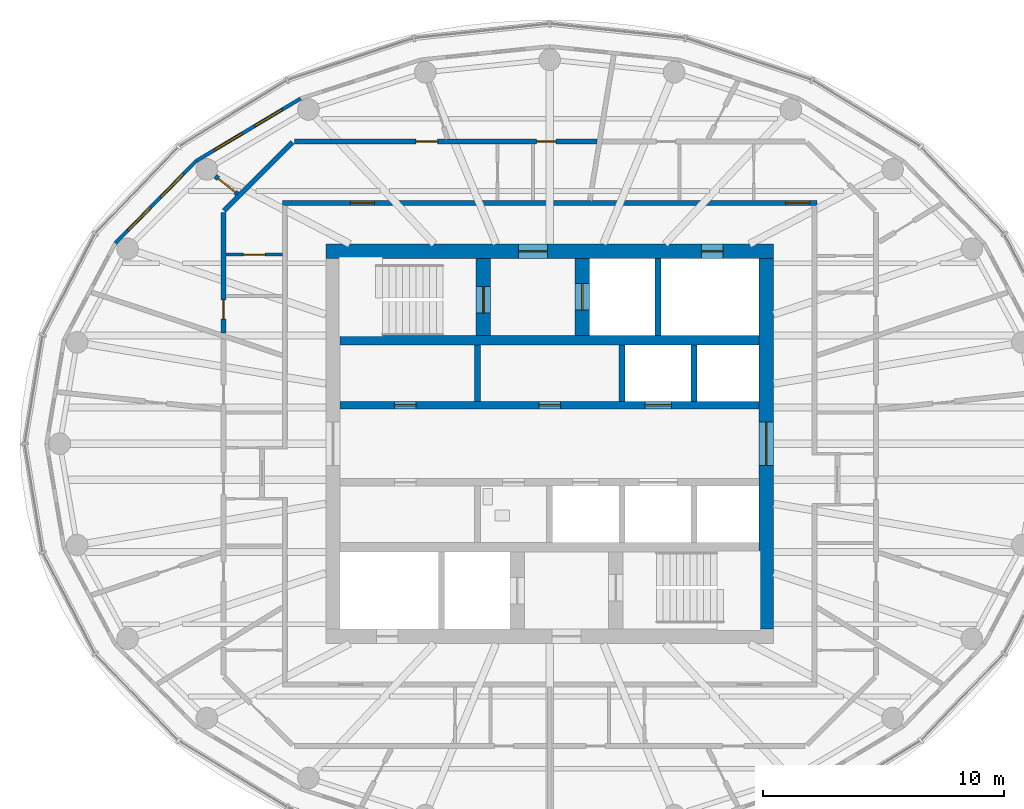
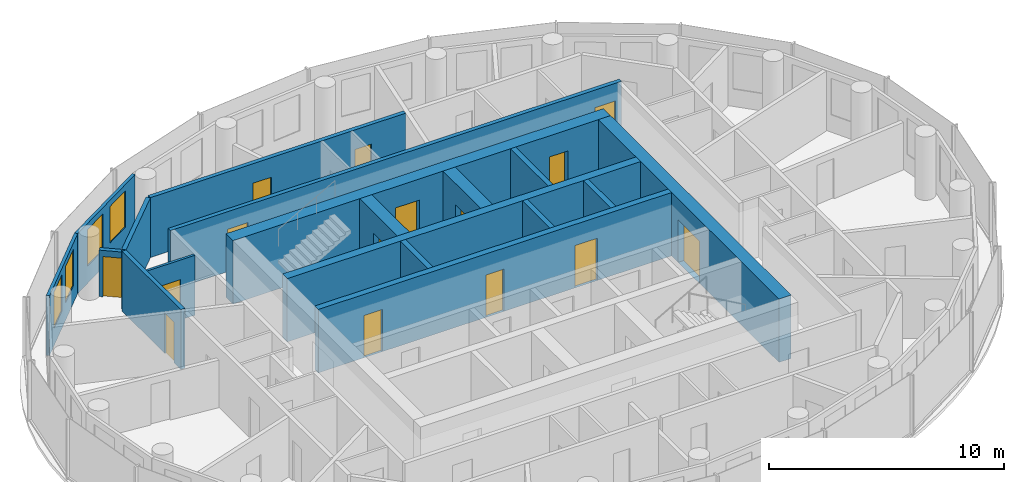
# One storey, part 7 of 12: 18 walls, 15 doors, 4 windows, 19 openings.
"""IFC4 building model written with IfcOpenShell, lengths in metres."""

from ifc_helpers import new_model, si_unit, direction, frame, frame_2d, origin, place, context, subcontext, project, spatial, rectangle, extrude, material, layer, layer_set, type_object, element, fill, save


model = new_model("IFC4")

# Units and contexts
model_context = context("Model", 3, precision=1e-05, world=origin(), true_north=direction((0.0, 1.0)))
body_context = subcontext(model_context, "Body", "Model", "MODEL_VIEW")
ifc_project = project(units=[si_unit("LENGTHUNIT", "METRE"), si_unit("AREAUNIT", "SQUARE_METRE"), si_unit("VOLUMEUNIT", "CUBIC_METRE"), si_unit("PLANEANGLEUNIT", "RADIAN"), si_unit("MASSUNIT", "GRAM", prefix="KILO")], contexts=[model_context])

# Site, building, storey
site_placement = place(None, origin())
site = spatial("IfcSite", under=ifc_project, at=site_placement, CompositionType="ELEMENT")
building_placement = place(site_placement, origin())
building = spatial("IfcBuilding", under=site, at=building_placement, Name="Hankou Lantern Tower", CompositionType="ELEMENT")
storey_placement = place(building_placement, frame((0.0, 0.0, 219.300048828125)))
storey = spatial("IfcBuildingStorey", under=building, at=storey_placement, Name="L59", CompositionType="ELEMENT", Elevation=219.300048828125)

# Wall, openings, doors
ifc_material_1 = material(Name="Concrete C60", Category="concrete")
ifc_layer_1 = layer(ifc_material_1, 0.60009765625)
ifc_layer_set_1 = layer_set([ifc_layer_1], Name="Concrete C60")
wall_type_1 = type_object("IfcWallType", Name="CW3 CORE WALL 600", PredefinedType="SHEAR", material=ifc_layer_set_1)
wall_1_placement = place(storey_placement, frame((-9.300048828125, 8.0, 0.0), z_axis=(0.0, 0.0, 1.0), x_axis=(1.0, 0.0, 0.0)))
wall_1 = element("IfcWall", 1, at=wall_1_placement, inside=storey, type_object=wall_type_1, Name="Core wall north L59", PredefinedType="SHEAR", context=body_context, shape_type="SweptSolid", body=[
    extrude(rectangle(XDim=18.60009765625, YDim=0.60009765625, at=frame_2d((9.300048828125, 0.0))), origin(), (0.0, 0.0, 1.0), 3.300048828125),
])
opening_1_placement = place(wall_1_placement, frame((8.0, 0.0, 0.0)))
opening_1 = element("IfcOpeningElement", 2, at=opening_1_placement, cuts=wall_1, Name="Opening D5", PredefinedType="OPENING", context=body_context, shape_type="SweptSolid", body=[
    extrude(rectangle(XDim=1.199951171875, YDim=2.199951171875, at=frame_2d((0.60009765625, 1.10009765625))), frame((0.0, 0.31005859375, 0.0), z_axis=(0.0, -1.0, 0.0), x_axis=(1.0, 0.0, 0.0)), (0.0, 0.0, 1.0), 0.6201171875),
])
opening_2_placement = place(wall_1_placement, frame((15.60009765625, 0.0, 0.0)))
opening_2 = element("IfcOpeningElement", 3, at=opening_2_placement, cuts=wall_1, Name="Opening D7", PredefinedType="OPENING", context=body_context, shape_type="SweptSolid", body=[
    extrude(rectangle(XDim=0.89990234375, YDim=2.199951171875, at=frame_2d((0.449951171875, 1.10009765625))), frame((0.0, 0.31005859375, 0.0), z_axis=(0.0, -1.0, 0.0), x_axis=(1.0, 0.0, 0.0)), (0.0, 0.0, 1.0), 0.6201171875),
])
ifc_material_2 = material(Name="Steel door leaf", Category="steel")
door_type_1 = type_object("IfcDoorType", Name="D5 STAIR LOBBY DOOR 1200X2200", OperationType="SINGLE_SWING_LEFT", PredefinedType="DOOR", material=ifc_material_2)
door_1_placement = place(opening_1_placement, origin())
door_1 = element("IfcDoor", 4, at=door_1_placement, inside=storey, type_object=door_type_1, Name="Stair A lobby door", OperationType="SINGLE_SWING_LEFT", OverallHeight=2.199951171875, OverallWidth=1.199951171875, PredefinedType="DOOR", context=body_context, shape_type="SweptSolid", body=[
    extrude(rectangle(XDim=1.199951171875, YDim=2.199951171875, at=frame_2d((0.60009765625, 1.10009765625))), frame((0.0, 0.02490234375, 0.0), z_axis=(0.0, -1.0, 0.0), x_axis=(1.0, 0.0, 0.0)), (0.0, 0.0, 1.0), 0.050048828125),
])
fill(opening_1, door_1)
ifc_material_3 = material(Name="Steel door leaf", Category="steel")
door_type_2 = type_object("IfcDoorType", Name="D7 RISER DOOR 900X2200", OperationType="SINGLE_SWING_LEFT", PredefinedType="DOOR", material=ifc_material_3)
door_2_placement = place(opening_2_placement, origin())
door_2 = element("IfcDoor", 5, at=door_2_placement, inside=storey, type_object=door_type_2, Name="Riser N1 door", OperationType="SINGLE_SWING_RIGHT", OverallHeight=2.199951171875, OverallWidth=0.89990234375, PredefinedType="DOOR", context=body_context, shape_type="SweptSolid", body=[
    extrude(rectangle(XDim=0.89990234375, YDim=2.199951171875, at=frame_2d((0.449951171875, 1.10009765625))), frame((0.0, 0.02490234375, 0.0), z_axis=(0.0, -1.0, 0.0), x_axis=(1.0, 0.0, 0.0)), (0.0, 0.0, 1.0), 0.050048828125),
])
fill(opening_2, door_2)

# Wall, opening, door
wall_2_placement = place(storey_placement, frame((9.0, -7.699951171875, 0.0), z_axis=(0.0, 0.0, 1.0), x_axis=(0.0, 1.0, 0.0)))
wall_2 = element("IfcWall", 6, at=wall_2_placement, inside=storey, type_object=wall_type_1, Name="Core wall east L59", PredefinedType="SHEAR", context=body_context, shape_type="SweptSolid", body=[
    extrude(rectangle(XDim=15.39990234375, YDim=0.60009765625, at=frame_2d((7.699951171875, 0.0))), origin(), (0.0, 0.0, 1.0), 3.300048828125),
])
opening_3_placement = place(wall_2_placement, frame((6.800048828125, 0.0, 0.0)))
opening_3 = element("IfcOpeningElement", 7, at=opening_3_placement, cuts=wall_2, Name="Opening D6", PredefinedType="OPENING", context=body_context, shape_type="SweptSolid", body=[
    extrude(rectangle(XDim=1.800048828125, YDim=2.199951171875, at=frame_2d((0.89990234375, 1.10009765625))), frame((0.0, 0.31005859375, 0.0), z_axis=(0.0, -1.0, 0.0), x_axis=(1.0, 0.0, 0.0)), (0.0, 0.0, 1.0), 0.6201171875),
])
ifc_material_4 = material(Name="Steel door leaf", Category="steel")
door_type_3 = type_object("IfcDoorType", Name="D6 LIFT LOBBY DOOR 1800X2200", OperationType="DOUBLE_DOOR_DOUBLE_SWING", PredefinedType="DOOR", material=ifc_material_4)
door_3_placement = place(opening_3_placement, origin())
door_3 = element("IfcDoor", 8, at=door_3_placement, inside=storey, type_object=door_type_3, Name="Lift lobby east door", OperationType="DOUBLE_DOOR_DOUBLE_SWING", OverallHeight=2.199951171875, OverallWidth=1.800048828125, PredefinedType="DOOR", context=body_context, shape_type="SweptSolid", body=[
    extrude(rectangle(XDim=1.800048828125, YDim=2.199951171875, at=frame_2d((0.89990234375, 1.10009765625))), frame((0.0, 0.02490234375, 0.0), z_axis=(0.0, -1.0, 0.0), x_axis=(1.0, 0.0, 0.0)), (0.0, 0.0, 1.0), 0.050048828125),
])
fill(opening_3, door_3)

# Wall
ifc_material_5 = material(Name="Concrete C60", Category="concrete")
ifc_layer_2 = layer(ifc_material_5, 0.39990234375)
ifc_layer_set_2 = layer_set([ifc_layer_2], Name="Concrete C60")
wall_type_2 = type_object("IfcWallType", Name="CW4 CORE CROSS WALL 400", PredefinedType="SHEAR", material=ifc_layer_set_2)
wall_3_placement = place(storey_placement, frame((-8.699951171875, 4.300048828125, 0.0), z_axis=(0.0, 0.0, 1.0), x_axis=(1.0, 0.0, 0.0)))
element("IfcWall", 9, at=wall_3_placement, inside=storey, type_object=wall_type_2, Name="Core band wall north L59", PredefinedType="SHEAR", context=body_context, shape_type="SweptSolid", body=[
    extrude(rectangle(XDim=17.39990234375, YDim=0.39990234375, at=frame_2d((8.699951171875, 0.0))), origin(), (0.0, 0.0, 1.0), 3.300048828125),
])

# Wall, openings, doors
ifc_material_6 = material(Name="Concrete C60", Category="concrete")
ifc_layer_3 = layer(ifc_material_6, 0.300048828125)
ifc_layer_set_3 = layer_set([ifc_layer_3], Name="Concrete C60")
wall_type_3 = type_object("IfcWallType", Name="CW5 LIFT LOBBY WALL 300", PredefinedType="SHEAR", material=ifc_layer_set_3)
wall_4_placement = place(storey_placement, frame((-8.699951171875, 1.60009765625, 0.0), z_axis=(0.0, 0.0, 1.0), x_axis=(1.0, 0.0, 0.0)))
wall_4 = element("IfcWall", 10, at=wall_4_placement, inside=storey, type_object=wall_type_3, Name="Lift lobby wall north L59", PredefinedType="SHEAR", context=body_context, shape_type="SweptSolid", body=[
    extrude(rectangle(XDim=17.39990234375, YDim=0.300048828125, at=frame_2d((8.699951171875, 0.0))), origin(), (0.0, 0.0, 1.0), 3.300048828125),
])
opening_4_placement = place(wall_4_placement, frame((12.64990234375, 0.0, 0.0)))
opening_4 = element("IfcOpeningElement", 11, at=opening_4_placement, cuts=wall_4, Name="Opening LD1", PredefinedType="OPENING", context=body_context, shape_type="SweptSolid", body=[
    extrude(rectangle(XDim=1.10009765625, YDim=2.199951171875, at=frame_2d((0.550048828125, 1.10009765625))), frame((0.0, 0.159912109375, 0.0), z_axis=(0.0, -1.0, 0.0), x_axis=(1.0, 0.0, 0.0)), (0.0, 0.0, 1.0), 0.320068359375),
])
opening_5_placement = place(wall_4_placement, frame((2.25, 0.0, 0.0)))
opening_5 = element("IfcOpeningElement", 12, at=opening_5_placement, cuts=wall_4, Name="Opening D30", PredefinedType="OPENING", context=body_context, shape_type="SweptSolid", body=[
    extrude(rectangle(XDim=0.89990234375, YDim=2.199951171875, at=frame_2d((0.449951171875, 1.10009765625))), frame((0.0, 0.159912109375, 0.0), z_axis=(0.0, -1.0, 0.0), x_axis=(1.0, 0.0, 0.0)), (0.0, 0.0, 1.0), 0.320068359375),
])
opening_6_placement = place(wall_4_placement, frame((8.25, 0.0, 0.0)))
opening_6 = element("IfcOpeningElement", 13, at=opening_6_placement, cuts=wall_4, Name="Opening D30", PredefinedType="OPENING", context=body_context, shape_type="SweptSolid", body=[
    extrude(rectangle(XDim=0.89990234375, YDim=2.199951171875, at=frame_2d((0.449951171875, 1.10009765625))), frame((0.0, 0.159912109375, 0.0), z_axis=(0.0, -1.0, 0.0), x_axis=(1.0, 0.0, 0.0)), (0.0, 0.0, 1.0), 0.320068359375),
])
ifc_material_7 = material(Name="Steel door leaf", Category="steel")
door_type_4 = type_object("IfcDoorType", Name="D30 CORE ROOM DOOR 900X2200", OperationType="SINGLE_SWING_LEFT", PredefinedType="DOOR", material=ifc_material_7)
door_4_placement = place(opening_5_placement, origin())
door_4 = element("IfcDoor", 14, at=door_4_placement, inside=storey, type_object=door_type_4, Name="Guest pantry and ice room door", OperationType="SINGLE_SWING_LEFT", OverallHeight=2.199951171875, OverallWidth=0.89990234375, PredefinedType="DOOR", context=body_context, shape_type="SweptSolid", body=[
    extrude(rectangle(XDim=0.89990234375, YDim=2.199951171875, at=frame_2d((0.449951171875, 1.10009765625))), frame((0.0, 0.02490234375, 0.0), z_axis=(0.0, -1.0, 0.0), x_axis=(1.0, 0.0, 0.0)), (0.0, 0.0, 1.0), 0.050048828125),
])
fill(opening_5, door_4)
door_5_placement = place(opening_6_placement, origin())
door_5 = element("IfcDoor", 15, at=door_5_placement, inside=storey, type_object=door_type_4, Name="Vending room door", OperationType="SINGLE_SWING_LEFT", OverallHeight=2.199951171875, OverallWidth=0.89990234375, PredefinedType="DOOR", context=body_context, shape_type="SweptSolid", body=[
    extrude(rectangle(XDim=0.89990234375, YDim=2.199951171875, at=frame_2d((0.449951171875, 1.10009765625))), frame((0.0, 0.02490234375, 0.0), z_axis=(0.0, -1.0, 0.0), x_axis=(1.0, 0.0, 0.0)), (0.0, 0.0, 1.0), 0.050048828125),
])
fill(opening_6, door_5)
ifc_material_8 = material(Name="Steel door leaf", Category="steel")
door_type_5 = type_object("IfcDoorType", Name="LD1 LIFT LANDING DOOR 1100X2200", OperationType="DOUBLE_DOOR_SLIDING", PredefinedType="DOOR", material=ifc_material_8)
door_6_placement = place(opening_4_placement, origin())
door_6 = element("IfcDoor", 16, at=door_6_placement, inside=storey, type_object=door_type_5, Name="Lift T1 landing door", OperationType="DOUBLE_DOOR_SLIDING", OverallHeight=2.199951171875, OverallWidth=1.10009765625, PredefinedType="DOOR", context=body_context, shape_type="SweptSolid", body=[
    extrude(rectangle(XDim=1.10009765625, YDim=2.199951171875, at=frame_2d((0.550048828125, 1.10009765625))), frame((0.0, 0.02490234375, 0.0), z_axis=(0.0, -1.0, 0.0), x_axis=(1.0, 0.0, 0.0)), (0.0, 0.0, 1.0), 0.050048828125),
])
fill(opening_4, door_6)

# Wall, opening, door
ifc_material_9 = material(Name="Concrete C60", Category="concrete")
ifc_layer_4 = layer(ifc_material_9, 0.60009765625)
ifc_layer_set_4 = layer_set([ifc_layer_4], Name="Concrete C60")
wall_type_4 = type_object("IfcWallType", Name="CW6 STAIR AND SHAFT WALL 600", PredefinedType="SHEAR", material=ifc_layer_set_4)
wall_5_placement = place(storey_placement, frame((-2.75, 4.5, 0.0), z_axis=(0.0, 0.0, 1.0), x_axis=(0.0, 1.0, 0.0)))
wall_5 = element("IfcWall", 17, at=wall_5_placement, inside=storey, type_object=wall_type_4, Name="Stair wall L59", PredefinedType="SHEAR", context=body_context, shape_type="SweptSolid", body=[
    extrude(rectangle(XDim=3.199951171875, YDim=0.60009765625, at=frame_2d((1.60009765625, 0.0))), origin(), (0.0, 0.0, 1.0), 3.300048828125),
])
opening_7_placement = place(wall_5_placement, frame((0.925048828125, 0.0, 0.0)))
opening_7 = element("IfcOpeningElement", 18, at=opening_7_placement, cuts=wall_5, Name="Opening D4", PredefinedType="OPENING", context=body_context, shape_type="SweptSolid", body=[
    extrude(rectangle(XDim=1.10009765625, YDim=2.199951171875, at=frame_2d((0.550048828125, 1.10009765625))), frame((0.0, 0.31005859375, 0.0), z_axis=(0.0, -1.0, 0.0), x_axis=(1.0, 0.0, 0.0)), (0.0, 0.0, 1.0), 0.6201171875),
])
ifc_material_10 = material(Name="Steel door leaf", Category="steel")
door_type_6 = type_object("IfcDoorType", Name="D4 STAIR DOOR 1100X2200", OperationType="SINGLE_SWING_LEFT", PredefinedType="DOOR", material=ifc_material_10)
door_7_placement = place(opening_7_placement, origin())
door_7 = element("IfcDoor", 19, at=door_7_placement, inside=storey, type_object=door_type_6, Name="Stair A door", OperationType="SINGLE_SWING_LEFT", OverallHeight=2.199951171875, OverallWidth=1.10009765625, PredefinedType="DOOR", context=body_context, shape_type="SweptSolid", body=[
    extrude(rectangle(XDim=1.10009765625, YDim=2.199951171875, at=frame_2d((0.550048828125, 1.10009765625))), frame((0.0, 0.02490234375, 0.0), z_axis=(0.0, -1.0, 0.0), x_axis=(1.0, 0.0, 0.0)), (0.0, 0.0, 1.0), 0.050048828125),
])
fill(opening_7, door_7)

wall_6_placement = place(storey_placement, frame((1.35009765625, 4.5, 0.0), z_axis=(0.0, 0.0, 1.0), x_axis=(0.0, 1.0, 0.0)))
wall_6 = element("IfcWall", 20, at=wall_6_placement, inside=storey, type_object=wall_type_4, Name="Firefighting lift shaft wall L59", PredefinedType="SHEAR", context=body_context, shape_type="SweptSolid", body=[
    extrude(rectangle(XDim=3.199951171875, YDim=0.60009765625, at=frame_2d((1.60009765625, 0.0))), origin(), (0.0, 0.0, 1.0), 3.300048828125),
])
opening_8_placement = place(wall_6_placement, frame((1.050048828125, 0.0, 0.0)))
opening_8 = element("IfcOpeningElement", 21, at=opening_8_placement, cuts=wall_6, Name="Opening LD2", PredefinedType="OPENING", context=body_context, shape_type="SweptSolid", body=[
    extrude(rectangle(XDim=1.10009765625, YDim=2.199951171875, at=frame_2d((0.550048828125, 1.10009765625))), frame((0.0, 0.31005859375, 0.0), z_axis=(0.0, -1.0, 0.0), x_axis=(1.0, 0.0, 0.0)), (0.0, 0.0, 1.0), 0.6201171875),
])
ifc_material_11 = material(Name="Steel door leaf", Category="steel")
door_type_7 = type_object("IfcDoorType", Name="LD2 FIREFIGHTING LIFT LANDING DOOR 1100X2200", OperationType="DOUBLE_DOOR_SLIDING", PredefinedType="DOOR", material=ifc_material_11)
door_8_placement = place(opening_8_placement, origin())
door_8 = element("IfcDoor", 22, at=door_8_placement, inside=storey, type_object=door_type_7, Name="Firefighting lift FL1 landing door", OperationType="DOUBLE_DOOR_SLIDING", OverallHeight=2.199951171875, OverallWidth=1.10009765625, PredefinedType="DOOR", context=body_context, shape_type="SweptSolid", body=[
    extrude(rectangle(XDim=1.10009765625, YDim=2.199951171875, at=frame_2d((0.550048828125, 1.10009765625))), frame((0.0, 0.02490234375, 0.0), z_axis=(0.0, -1.0, 0.0), x_axis=(1.0, 0.0, 0.0)), (0.0, 0.0, 1.0), 0.050048828125),
])
fill(opening_8, door_8)

# Wall, openings, windows
ifc_material_12 = material(Name="Aluminium spandrel panel on steel studs", Category="steel")
ifc_layer_5 = layer(ifc_material_12, 0.14990234375)
ifc_layer_set_5 = layer_set([ifc_layer_5], Name="Aluminium spandrel panel on steel studs")
wall_type_5 = type_object("IfcWallType", Name="EW1 INNER SKIN WALL 150", PredefinedType="ELEMENTEDWALL", material=ifc_layer_set_5)
wall_7_placement = place(storey_placement, frame((-10.346435546875, 14.33642578125, 0.0), z_axis=(0.0, 0.0, 1.0), x_axis=(-0.85822150553, -0.513279502265, 0.0)))
wall_7 = element("IfcWall", 23, at=wall_7_placement, inside=storey, type_object=wall_type_5, Name="Inner skin R09-R10 L59", PredefinedType="ELEMENTEDWALL", context=body_context, shape_type="SweptSolid", body=[
    extrude(rectangle(XDim=5.050048828125, YDim=0.14990234375, at=frame_2d((2.52490234375, 0.0))), origin(), (0.0, 0.0, 1.0), 3.119873046875),
])
opening_9_placement = place(wall_7_placement, frame((0.875, 0.0, 0.89990234375)))
opening_9 = element("IfcOpeningElement", 24, at=opening_9_placement, cuts=wall_7, Name="Opening W4", PredefinedType="OPENING", context=body_context, shape_type="SweptSolid", body=[
    extrude(rectangle(XDim=1.35009765625, YDim=1.89990234375, at=frame_2d((0.675048828125, 0.949951171875))), frame((0.0, 0.0849609375, 0.0), z_axis=(0.0, -1.0, 0.0), x_axis=(1.0, 0.0, 0.0)), (0.0, 0.0, 1.0), 0.169921875),
])
opening_10_placement = place(wall_7_placement, frame((2.824951171875, 0.0, 0.89990234375)))
opening_10 = element("IfcOpeningElement", 25, at=opening_10_placement, cuts=wall_7, Name="Opening W4", PredefinedType="OPENING", context=body_context, shape_type="SweptSolid", body=[
    extrude(rectangle(XDim=1.35009765625, YDim=1.89990234375, at=frame_2d((0.675048828125, 0.949951171875))), frame((0.0, 0.0849609375, 0.0), z_axis=(0.0, -1.0, 0.0), x_axis=(1.0, 0.0, 0.0)), (0.0, 0.0, 1.0), 0.169921875),
])
ifc_material_13 = material(Name="Aluminium framed double glazed window", Category="aluminium")
window_type = type_object("IfcWindowType", Name="W4 SUITE WINDOW 1350X1900", PartitioningType="DOUBLE_PANEL_VERTICAL", PredefinedType="WINDOW", material=ifc_material_13)
window_1_placement = place(opening_9_placement, origin())
window_1 = element("IfcWindow", 26, at=window_1_placement, inside=storey, type_object=window_type, Name="Window R09.1 L59", OverallHeight=1.89990234375, OverallWidth=1.35009765625, PartitioningType="SINGLE_PANEL", PredefinedType="WINDOW", context=body_context, shape_type="SweptSolid", body=[
    extrude(rectangle(XDim=1.35009765625, YDim=1.89990234375, at=frame_2d((0.675048828125, 0.949951171875))), frame((0.0, 0.030029296875, 0.0), z_axis=(0.0, -1.0, 0.0), x_axis=(1.0, 0.0, 0.0)), (0.0, 0.0, 1.0), 0.06005859375),
])
fill(opening_9, window_1)
window_2_placement = place(opening_10_placement, origin())
window_2 = element("IfcWindow", 27, at=window_2_placement, inside=storey, type_object=window_type, Name="Window R09.2 L59", OverallHeight=1.89990234375, OverallWidth=1.35009765625, PartitioningType="SINGLE_PANEL", PredefinedType="WINDOW", context=body_context, shape_type="SweptSolid", body=[
    extrude(rectangle(XDim=1.35009765625, YDim=1.89990234375, at=frame_2d((0.675048828125, 0.949951171875))), frame((0.0, 0.030029296875, 0.0), z_axis=(0.0, -1.0, 0.0), x_axis=(1.0, 0.0, 0.0)), (0.0, 0.0, 1.0), 0.06005859375),
])
fill(opening_10, window_2)

wall_8_placement = place(storey_placement, frame((-14.680419921875, 11.744384765625, 0.0), z_axis=(0.0, 0.0, 1.0), x_axis=(-0.701527379618, -0.712642501993, 0.0)))
wall_8 = element("IfcWall", 28, at=wall_8_placement, inside=storey, type_object=wall_type_5, Name="Inner skin R10-R11 L59", PredefinedType="ELEMENTEDWALL", context=body_context, shape_type="SweptSolid", body=[
    extrude(rectangle(XDim=4.788330078125, YDim=0.14990234375, at=frame_2d((2.39404296875, 0.0))), origin(), (0.0, 0.0, 1.0), 3.119873046875),
])
opening_11_placement = place(wall_8_placement, frame((0.744140625, 0.0, 0.89990234375)))
opening_11 = element("IfcOpeningElement", 29, at=opening_11_placement, cuts=wall_8, Name="Opening W4", PredefinedType="OPENING", context=body_context, shape_type="SweptSolid", body=[
    extrude(rectangle(XDim=1.35009765625, YDim=1.89990234375, at=frame_2d((0.675048828125, 0.949951171875))), frame((0.0, 0.0849609375, 0.0), z_axis=(0.0, -1.0, 0.0), x_axis=(1.0, 0.0, 0.0)), (0.0, 0.0, 1.0), 0.169921875),
])
opening_12_placement = place(wall_8_placement, frame((2.694091796875, 0.0, 0.89990234375)))
opening_12 = element("IfcOpeningElement", 30, at=opening_12_placement, cuts=wall_8, Name="Opening W4", PredefinedType="OPENING", context=body_context, shape_type="SweptSolid", body=[
    extrude(rectangle(XDim=1.35009765625, YDim=1.89990234375, at=frame_2d((0.675048828125, 0.949951171875))), frame((0.0, 0.0849609375, 0.0), z_axis=(0.0, -1.0, 0.0), x_axis=(1.0, 0.0, 0.0)), (0.0, 0.0, 1.0), 0.169921875),
])
window_3_placement = place(opening_11_placement, origin())
window_3 = element("IfcWindow", 31, at=window_3_placement, inside=storey, type_object=window_type, Name="Window R10.1 L59", OverallHeight=1.89990234375, OverallWidth=1.35009765625, PartitioningType="SINGLE_PANEL", PredefinedType="WINDOW", context=body_context, shape_type="SweptSolid", body=[
    extrude(rectangle(XDim=1.35009765625, YDim=1.89990234375, at=frame_2d((0.675048828125, 0.949951171875))), frame((0.0, 0.030029296875, 0.0), z_axis=(0.0, -1.0, 0.0), x_axis=(1.0, 0.0, 0.0)), (0.0, 0.0, 1.0), 0.06005859375),
])
fill(opening_11, window_3)
window_4_placement = place(opening_12_placement, origin())
window_4 = element("IfcWindow", 32, at=window_4_placement, inside=storey, type_object=window_type, Name="Window R10.2 L59", OverallHeight=1.89990234375, OverallWidth=1.35009765625, PartitioningType="SINGLE_PANEL", PredefinedType="WINDOW", context=body_context, shape_type="SweptSolid", body=[
    extrude(rectangle(XDim=1.35009765625, YDim=1.89990234375, at=frame_2d((0.675048828125, 0.949951171875))), frame((0.0, 0.030029296875, 0.0), z_axis=(0.0, -1.0, 0.0), x_axis=(1.0, 0.0, 0.0)), (0.0, 0.0, 1.0), 0.06005859375),
])
fill(opening_12, window_4)

# Wall, openings, doors
ifc_material_14 = material(Name="Masonry lightweight concrete block", Category="masonry")
ifc_layer_6 = layer(ifc_material_14, 0.199951171875)
ifc_layer_set_6 = layer_set([ifc_layer_6], Name="Masonry lightweight concrete block")
wall_type_6 = type_object("IfcWallType", Name="IW2 CORRIDOR WALL 200", PredefinedType="PARTITIONING", material=ifc_layer_set_6)
wall_9_placement = place(storey_placement, frame((-11.10009765625, 10.0, 0.0), z_axis=(0.0, 0.0, 1.0), x_axis=(1.0, 0.0, 0.0)))
wall_9 = element("IfcWall", 33, at=wall_9_placement, inside=storey, type_object=wall_type_6, Name="Corridor wall north", PredefinedType="PARTITIONING", context=body_context, shape_type="SweptSolid", body=[
    extrude(rectangle(XDim=22.2001953125, YDim=0.199951171875, at=frame_2d((11.10009765625, 0.0))), origin(), (0.0, 0.0, 1.0), 3.119873046875),
])
opening_13_placement = place(wall_9_placement, frame((20.89990234375, 0.0, 0.0)))
opening_13 = element("IfcOpeningElement", 34, at=opening_13_placement, cuts=wall_9, Name="Opening D2", PredefinedType="OPENING", context=body_context, shape_type="SweptSolid", body=[
    extrude(rectangle(XDim=1.0, YDim=2.199951171875, at=frame_2d((0.5, 1.10009765625))), frame((0.0, 0.10986328125, 0.0), z_axis=(0.0, -1.0, 0.0), x_axis=(1.0, 0.0, 0.0)), (0.0, 0.0, 1.0), 0.219970703125),
])
opening_14_placement = place(wall_9_placement, frame((2.819580078125, 0.0, 0.0)))
opening_14 = element("IfcOpeningElement", 35, at=opening_14_placement, cuts=wall_9, Name="Opening D2", PredefinedType="OPENING", context=body_context, shape_type="SweptSolid", body=[
    extrude(rectangle(XDim=1.0, YDim=2.199951171875, at=frame_2d((0.5, 1.10009765625))), frame((0.0, 0.10986328125, 0.0), z_axis=(0.0, -1.0, 0.0), x_axis=(1.0, 0.0, 0.0)), (0.0, 0.0, 1.0), 0.219970703125),
])
ifc_material_15 = material(Name="Steel door leaf", Category="steel")
door_type_8 = type_object("IfcDoorType", Name="D2 SUITE DOOR 1000X2200", OperationType="SINGLE_SWING_LEFT", PredefinedType="DOOR", material=ifc_material_15)
door_9_placement = place(opening_13_placement, origin())
door_9 = element("IfcDoor", 36, at=door_9_placement, inside=storey, type_object=door_type_8, Name="Suite door 5901", OperationType="SINGLE_SWING_LEFT", OverallHeight=2.199951171875, OverallWidth=1.0, PredefinedType="DOOR", context=body_context, shape_type="SweptSolid", body=[
    extrude(rectangle(XDim=1.0, YDim=2.199951171875, at=frame_2d((0.5, 1.10009765625))), frame((0.0, 0.02490234375, 0.0), z_axis=(0.0, -1.0, 0.0), x_axis=(1.0, 0.0, 0.0)), (0.0, 0.0, 1.0), 0.050048828125),
])
fill(opening_13, door_9)
door_10_placement = place(opening_14_placement, origin())
door_10 = element("IfcDoor", 37, at=door_10_placement, inside=storey, type_object=door_type_8, Name="Suite door 5902", OperationType="SINGLE_SWING_RIGHT", OverallHeight=2.199951171875, OverallWidth=1.0, PredefinedType="DOOR", context=body_context, shape_type="SweptSolid", body=[
    extrude(rectangle(XDim=1.0, YDim=2.199951171875, at=frame_2d((0.5, 1.10009765625))), frame((0.0, 0.02490234375, 0.0), z_axis=(0.0, -1.0, 0.0), x_axis=(1.0, 0.0, 0.0)), (0.0, 0.0, 1.0), 0.050048828125),
])
fill(opening_14, door_10)

# Wall, opening, door
ifc_material_16 = material(Name="Masonry lightweight concrete block", Category="masonry")
ifc_layer_7 = layer(ifc_material_16, 0.1201171875)
ifc_layer_set_7 = layer_set([ifc_layer_7], Name="Masonry lightweight concrete block")
wall_type_7 = type_object("IfcWallType", Name="IW3 BATHROOM WALL 120", PredefinedType="PARTITIONING", material=ifc_layer_set_7)
wall_10_placement = place(storey_placement, frame((-11.10009765625, 7.855224609375, 0.0), z_axis=(0.0, 0.0, 1.0), x_axis=(-1.0, 0.0, 0.0)))
wall_10 = element("IfcWall", 38, at=wall_10_placement, inside=storey, type_object=wall_type_7, Name="Box wall 5902 3", PredefinedType="PARTITIONING", context=body_context, shape_type="SweptSolid", body=[
    extrude(rectangle(XDim=2.349853515625, YDim=0.1201171875, at=frame_2d((1.1748046875, 0.0))), origin(), (0.0, 0.0, 1.0), 3.119873046875),
])
opening_15_placement = place(wall_10_placement, frame((0.719970703125, 0.0, 0.0)))
opening_15 = element("IfcOpeningElement", 39, at=opening_15_placement, cuts=wall_10, Name="Opening D27", PredefinedType="OPENING", context=body_context, shape_type="SweptSolid", body=[
    extrude(rectangle(XDim=0.89990234375, YDim=2.10009765625, at=frame_2d((0.449951171875, 1.050048828125))), frame((0.0, 0.070068359375, 0.0), z_axis=(0.0, -1.0, 0.0), x_axis=(1.0, 0.0, 0.0)), (0.0, 0.0, 1.0), 0.14013671875),
])
ifc_material_17 = material(Name="Timber door leaf", Category="wood")
door_type_9 = type_object("IfcDoorType", Name="D27 INTERNAL DOOR 900X2100", OperationType="SINGLE_SWING_LEFT", PredefinedType="DOOR", material=ifc_material_17)
door_11_placement = place(opening_15_placement, origin())
door_11 = element("IfcDoor", 40, at=door_11_placement, inside=storey, type_object=door_type_9, Name="Family suite 5902 walk-in wardrobe door", OperationType="SINGLE_SWING_LEFT", OverallHeight=2.10009765625, OverallWidth=0.89990234375, PredefinedType="DOOR", context=body_context, shape_type="SweptSolid", body=[
    extrude(rectangle(XDim=0.89990234375, YDim=2.10009765625, at=frame_2d((0.449951171875, 1.050048828125))), frame((0.0, 0.02490234375, 0.0), z_axis=(0.0, -1.0, 0.0), x_axis=(1.0, 0.0, 0.0)), (0.0, 0.0, 1.0), 0.050048828125),
])
fill(opening_15, door_11)

# Wall, openings, doors
ifc_material_18 = material(Name="Masonry lightweight concrete block", Category="masonry")
ifc_layer_8 = layer(ifc_material_18, 0.199951171875)
ifc_layer_set_8 = layer_set([ifc_layer_8], Name="Masonry lightweight concrete block")
wall_type_8 = type_object("IfcWallType", Name="IW6 SUITE PARTITION 200", PredefinedType="PARTITIONING", material=ifc_layer_set_8)
wall_11_placement = place(storey_placement, frame((1.967529296875, 12.550048828125, 0.0), z_axis=(0.0, 0.0, 1.0), x_axis=(-1.0, 0.0, 0.0)))
wall_11 = element("IfcWall", 41, at=wall_11_placement, inside=storey, type_object=wall_type_8, Name="Suite foyer wall 5902", PredefinedType="PARTITIONING", context=body_context, shape_type="SweptSolid", body=[
    extrude(rectangle(XDim=12.576171875, YDim=0.199951171875, at=frame_2d((6.2880859375, 0.0))), origin(), (0.0, 0.0, 1.0), 3.119873046875),
])
opening_16_placement = place(wall_11_placement, frame((1.707763671875, 0.0, 0.0)))
opening_16 = element("IfcOpeningElement", 42, at=opening_16_placement, cuts=wall_11, Name="Opening D3", PredefinedType="OPENING", context=body_context, shape_type="SweptSolid", body=[
    extrude(rectangle(XDim=0.800048828125, YDim=2.10009765625, at=frame_2d((0.39990234375, 1.050048828125))), frame((0.0, 0.10986328125, 0.0), z_axis=(0.0, -1.0, 0.0), x_axis=(1.0, 0.0, 0.0)), (0.0, 0.0, 1.0), 0.219970703125),
])
opening_17_placement = place(wall_11_placement, frame((6.6201171875, 0.0, 0.0)))
opening_17 = element("IfcOpeningElement", 43, at=opening_17_placement, cuts=wall_11, Name="Opening D27", PredefinedType="OPENING", context=body_context, shape_type="SweptSolid", body=[
    extrude(rectangle(XDim=0.89990234375, YDim=2.10009765625, at=frame_2d((0.449951171875, 1.050048828125))), frame((0.0, 0.10986328125, 0.0), z_axis=(0.0, -1.0, 0.0), x_axis=(1.0, 0.0, 0.0)), (0.0, 0.0, 1.0), 0.219970703125),
])
door_12_placement = place(opening_17_placement, origin())
door_12 = element("IfcDoor", 44, at=door_12_placement, inside=storey, type_object=door_type_9, Name="Family suite 5902 living room door", OperationType="SINGLE_SWING_LEFT", OverallHeight=2.10009765625, OverallWidth=0.89990234375, PredefinedType="DOOR", context=body_context, shape_type="SweptSolid", body=[
    extrude(rectangle(XDim=0.89990234375, YDim=2.10009765625, at=frame_2d((0.449951171875, 1.050048828125))), frame((0.0, 0.02490234375, 0.0), z_axis=(0.0, -1.0, 0.0), x_axis=(1.0, 0.0, 0.0)), (0.0, 0.0, 1.0), 0.050048828125),
])
fill(opening_17, door_12)
ifc_material_19 = material(Name="Timber door leaf", Category="wood")
door_type_10 = type_object("IfcDoorType", Name="D3 BATHROOM DOOR 800X2100", OperationType="SINGLE_SWING_LEFT", PredefinedType="DOOR", material=ifc_material_19)
door_13_placement = place(opening_16_placement, origin())
door_13 = element("IfcDoor", 45, at=door_13_placement, inside=storey, type_object=door_type_10, Name="Family suite 5902 bathroom door", OperationType="SINGLE_SWING_RIGHT", OverallHeight=2.10009765625, OverallWidth=0.800048828125, PredefinedType="DOOR", context=body_context, shape_type="SweptSolid", body=[
    extrude(rectangle(XDim=0.800048828125, YDim=2.10009765625, at=frame_2d((0.39990234375, 1.050048828125))), frame((0.0, 0.02490234375, 0.0), z_axis=(0.0, -1.0, 0.0), x_axis=(1.0, 0.0, 0.0)), (0.0, 0.0, 1.0), 0.050048828125),
])
fill(opening_16, door_13)

# Wall
wall_12_placement = place(storey_placement, frame((-10.67919921875, 12.520751953125, 0.0), z_axis=(0.0, 0.0, 1.0), x_axis=(-0.707106781187, -0.707106781187, 0.0)))
element("IfcWall", 46, at=wall_12_placement, inside=storey, type_object=wall_type_8, Name="Suite foyer wall 5902", PredefinedType="PARTITIONING", context=body_context, shape_type="SweptSolid", body=[
    extrude(rectangle(XDim=4.0185546875, YDim=0.199951171875, at=frame_2d((2.00927734375, 0.0))), origin(), (0.0, 0.0, 1.0), 3.119873046875),
])

# Wall, opening, door
wall_13_placement = place(storey_placement, frame((-13.550048828125, 9.608642578125, 0.0), z_axis=(0.0, 0.0, 1.0), x_axis=(0.0, -1.0, 0.0)))
wall_13 = element("IfcWall", 47, at=wall_13_placement, inside=storey, type_object=wall_type_8, Name="Suite foyer wall 5902", PredefinedType="PARTITIONING", context=body_context, shape_type="SweptSolid", body=[
    extrude(rectangle(XDim=5.0087890625, YDim=0.199951171875, at=frame_2d((2.50439453125, 0.0))), origin(), (0.0, 0.0, 1.0), 3.119873046875),
])
opening_18_placement = place(wall_13_placement, frame((3.63330078125, 0.0, 0.0)))
opening_18 = element("IfcOpeningElement", 48, at=opening_18_placement, cuts=wall_13, Name="Opening D3", PredefinedType="OPENING", context=body_context, shape_type="SweptSolid", body=[
    extrude(rectangle(XDim=0.800048828125, YDim=2.10009765625, at=frame_2d((0.39990234375, 1.050048828125))), frame((0.0, 0.10986328125, 0.0), z_axis=(0.0, -1.0, 0.0), x_axis=(1.0, 0.0, 0.0)), (0.0, 0.0, 1.0), 0.219970703125),
])
door_14_placement = place(opening_18_placement, origin())
door_14 = element("IfcDoor", 49, at=door_14_placement, inside=storey, type_object=door_type_10, Name="Family suite 5902 second bathroom door", OperationType="SINGLE_SWING_LEFT", OverallHeight=2.10009765625, OverallWidth=0.800048828125, PredefinedType="DOOR", context=body_context, shape_type="SweptSolid", body=[
    extrude(rectangle(XDim=0.800048828125, YDim=2.10009765625, at=frame_2d((0.39990234375, 1.050048828125))), frame((0.0, 0.02490234375, 0.0), z_axis=(0.0, -1.0, 0.0), x_axis=(1.0, 0.0, 0.0)), (0.0, 0.0, 1.0), 0.050048828125),
])
fill(opening_18, door_14)

wall_14_placement = place(storey_placement, frame((-12.967529296875, 10.3740234375, 0.0), z_axis=(0.0, 0.0, 1.0), x_axis=(-0.780888968944, 0.624669847345, 0.0)))
wall_14 = element("IfcWall", 50, at=wall_14_placement, inside=storey, type_object=wall_type_8, Name="Suite partition R10", PredefinedType="PARTITIONING", context=body_context, shape_type="SweptSolid", body=[
    extrude(rectangle(XDim=1.181396484375, YDim=0.199951171875, at=frame_2d((0.5908203125, 0.0))), origin(), (0.0, 0.0, 1.0), 2.419921875),
])
opening_19_placement = place(wall_14_placement, frame((0.1201171875, 0.0, 0.0)))
opening_19 = element("IfcOpeningElement", 51, at=opening_19_placement, cuts=wall_14, Name="Opening D27", PredefinedType="OPENING", context=body_context, shape_type="SweptSolid", body=[
    extrude(rectangle(XDim=0.89990234375, YDim=2.10009765625, at=frame_2d((0.449951171875, 1.050048828125))), frame((0.0, 0.10986328125, 0.0), z_axis=(0.0, -1.0, 0.0), x_axis=(1.0, 0.0, 0.0)), (0.0, 0.0, 1.0), 0.219970703125),
])
door_15_placement = place(opening_19_placement, origin())
door_15 = element("IfcDoor", 52, at=door_15_placement, inside=storey, type_object=door_type_9, Name="Family suite 5902 second bedroom door", OperationType="SINGLE_SWING_LEFT", OverallHeight=2.10009765625, OverallWidth=0.89990234375, PredefinedType="DOOR", context=body_context, shape_type="SweptSolid", body=[
    extrude(rectangle(XDim=0.89990234375, YDim=2.10009765625, at=frame_2d((0.449951171875, 1.050048828125))), frame((0.0, 0.02490234375, 0.0), z_axis=(0.0, -1.0, 0.0), x_axis=(1.0, 0.0, 0.0)), (0.0, 0.0, 1.0), 0.050048828125),
])
fill(opening_19, door_15)

# Walls
ifc_material_20 = material(Name="Masonry autoclaved aerated concrete block", Category="masonry")
ifc_layer_9 = layer(ifc_material_20, 0.25)
ifc_layer_set_9 = layer_set([ifc_layer_9], Name="Masonry autoclaved aerated concrete block")
wall_type_9 = type_object("IfcWallType", Name="SW1 SHAFT BLOCK WALL 250", PredefinedType="PARTITIONING", material=ifc_layer_set_9)
wall_15_placement = place(storey_placement, frame((4.5, 4.5, 0.0), z_axis=(0.0, 0.0, 1.0), x_axis=(0.0, 1.0, 0.0)))
element("IfcWall", 53, at=wall_15_placement, inside=storey, type_object=wall_type_9, Name="Riser wall L59", PredefinedType="PARTITIONING", context=body_context, shape_type="SweptSolid", body=[
    extrude(rectangle(XDim=3.199951171875, YDim=0.25, at=frame_2d((1.60009765625, 0.0))), origin(), (0.0, 0.0, 1.0), 3.300048828125),
])
for number, where, z_axis, x_axis, name in (
    (54, (-3.0, 1.75, 0.0), (0.0, 0.0, 1.0), (0.0, 1.0, 0.0), "Lift shaft wall L59"),
    (55, (3.0, 1.75, 0.0), (0.0, 0.0, 1.0), (0.0, 1.0, 0.0), "Lift shaft wall L59"),
    (56, (6.0, 1.75, 0.0), (0.0, 0.0, 1.0), (0.0, 1.0, 0.0), "Lift shaft wall L59"),
):
    element("IfcWall", number, at=place(storey_placement, frame(where, z_axis=z_axis, x_axis=x_axis)), inside=storey, type_object=wall_type_9, Name=name, PredefinedType="PARTITIONING", context=body_context, shape_type="SweptSolid", body=[
        extrude(rectangle(XDim=2.35009765625, YDim=0.25, at=frame_2d((1.175048828125, 0.0))), origin(), (0.0, 0.0, 1.0), 3.300048828125),
    ])

save(model, "model.ifc")
